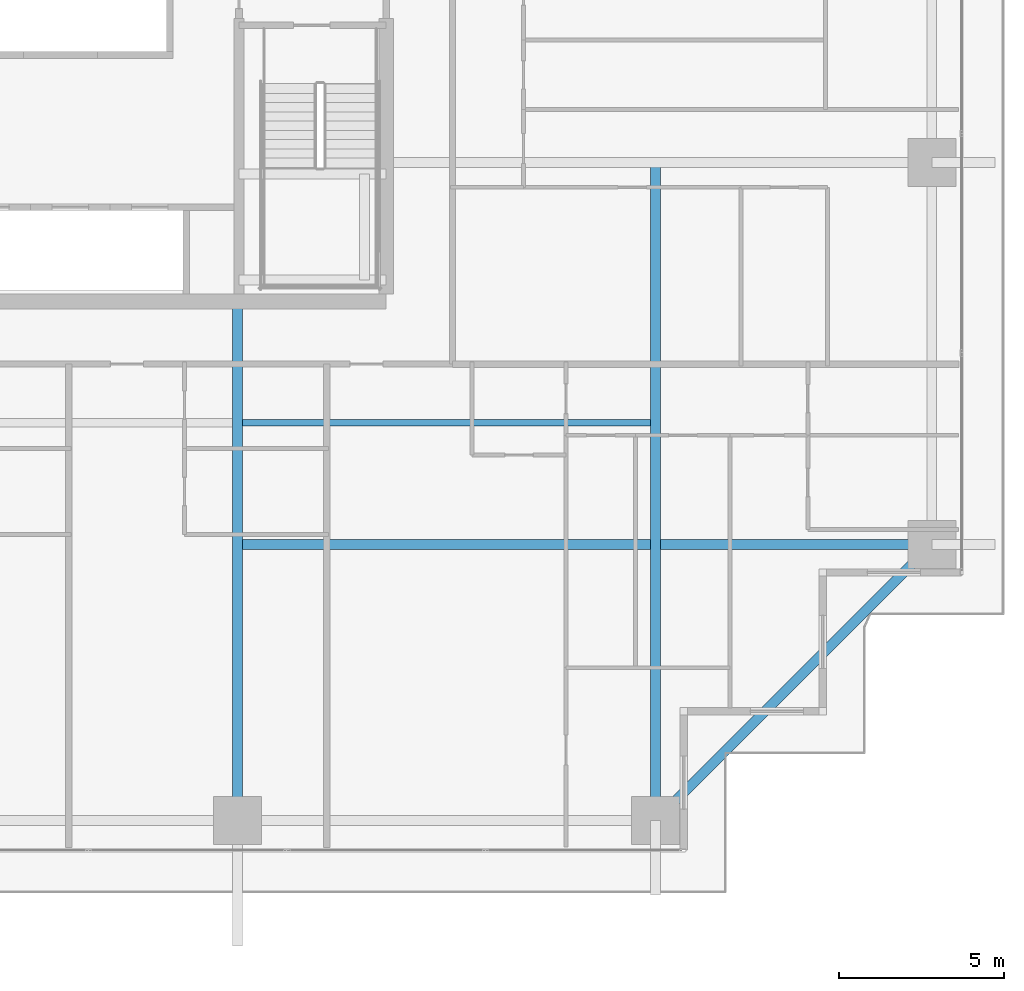
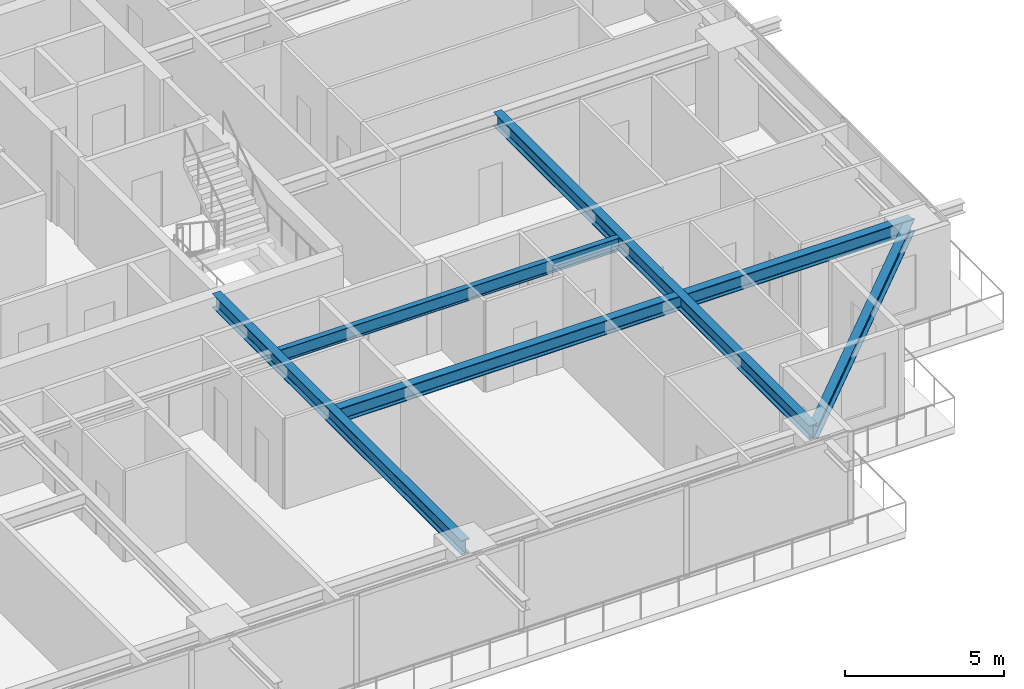
# One storey, part 11 of 35: 5 beams.
"""IFC4 building model written with IfcOpenShell, lengths in metres."""

from ifc_helpers import new_model, si_unit, direction, frame, origin, origin_2d, place, context, subcontext, project, spatial, i_section, extrude, source, transform, mapped, material, material_profile, profile_set, type_object, element, save


model = new_model("IFC4")

# Units and contexts
model_context = context("Model", 3, precision=1e-05, world=origin(), true_north=direction((0.0, 1.0)))
body_context = subcontext(model_context, "Body", "Model", "MODEL_VIEW")
ifc_project = project(units=[si_unit("LENGTHUNIT", "METRE"), si_unit("AREAUNIT", "SQUARE_METRE"), si_unit("VOLUMEUNIT", "CUBIC_METRE"), si_unit("PLANEANGLEUNIT", "RADIAN"), si_unit("MASSUNIT", "GRAM", prefix="KILO")], contexts=[model_context])

# Site, building, storey
site_placement = place(None, origin())
site = spatial("IfcSite", under=ifc_project, at=site_placement, CompositionType="ELEMENT")
building_placement = place(site_placement, origin())
building = spatial("IfcBuilding", under=site, at=building_placement, Name="Serunith Strait Residences", CompositionType="ELEMENT")
storey_placement = place(building_placement, frame((0.0, 0.0, 56.699951171875)))
storey = spatial("IfcBuildingStorey", under=building, at=storey_placement, Name="L13", CompositionType="ELEMENT", Elevation=56.699951171875)

# Beams
ifc_material = material(Name="Steel S355J2", Category="steel")
ifc_material_profile_1 = material_profile(ifc_material, i_section(OverallWidth=0.300048828125, OverallDepth=0.550048828125, WebThickness=0.014892578125, FlangeThickness=0.029052734375, FilletRadius=0.027099609375, at=origin_2d()), Name="HEB 550")
ifc_profile_set_1 = profile_set([ifc_material_profile_1], Name="Steel S355J2")
beam_type_1 = type_object("IfcBeamType", Name="BM-HEB550", PredefinedType="BEAM", material=ifc_profile_set_1)
shared_shape_1 = source(origin(), body_context, "Body", "SweptSolid", [
    extrude(i_section(OverallWidth=0.300048828125, OverallDepth=0.550048828125, WebThickness=0.014892578125, FlangeThickness=0.029052734375, FilletRadius=0.027099609375, at=origin_2d()), origin(), (0.0, 0.0, 1.0), 15.699951171875),
])
beam_1_placement = place(storey_placement, frame((36.89990234375, 16.800048828125, 3.212158203125), z_axis=(0.0, -1.0, 0.0), x_axis=(1.0, 0.0, 0.0)))
element("IfcBeam", 1, at=beam_1_placement, inside=storey, type_object=beam_type_1, Name="L13 Primary Floor Girder TC-S3", PredefinedType="BEAM", context=body_context, shape_type="MappedRepresentation", body=[
    mapped(shared_shape_1, transform((0.0, 0.0, 0.0), scale=1.0)),
])
shared_shape_2 = source(origin(), body_context, "Body", "SweptSolid", [
    extrude(i_section(OverallWidth=0.300048828125, OverallDepth=0.550048828125, WebThickness=0.014892578125, FlangeThickness=0.029052734375, FilletRadius=0.027099609375, at=origin_2d()), origin(), (0.0, 0.0, 1.0), 19.89990234375),
])
beam_2_placement = place(storey_placement, frame((49.550048828125, 21.0, 3.212158203125), z_axis=(0.0, -1.0, 0.0), x_axis=(1.0, 0.0, 0.0)))
element("IfcBeam", 2, at=beam_2_placement, inside=storey, type_object=beam_type_1, Name="L13 Orthogonal Corner Girder TC-S4", PredefinedType="BEAM", context=body_context, shape_type="MappedRepresentation", body=[
    mapped(shared_shape_2, transform((0.0, 0.0, 0.0), scale=1.0)),
])
shared_shape_3 = source(origin(), body_context, "Body", "SweptSolid", [
    extrude(i_section(OverallWidth=0.300048828125, OverallDepth=0.550048828125, WebThickness=0.014892578125, FlangeThickness=0.029052734375, FilletRadius=0.027099609375, at=origin_2d()), origin(), (0.0, 0.0, 1.0), 21.0),
])
beam_3_placement = place(storey_placement, frame((36.89990234375, 9.449951171875, 3.212158203125), z_axis=(1.0, 0.0, 0.0), x_axis=(0.0, 1.0, 0.0)))
element("IfcBeam", 3, at=beam_3_placement, inside=storey, type_object=beam_type_1, Name="L13 Orthogonal Corner Girder TC-E1", PredefinedType="BEAM", context=body_context, shape_type="MappedRepresentation", body=[
    mapped(shared_shape_3, transform((0.0, 0.0, 0.0), scale=1.0)),
])
ifc_material_profile_2 = material_profile(ifc_material, i_section(OverallWidth=0.300048828125, OverallDepth=0.5, WebThickness=0.014404296875, FlangeThickness=0.028076171875, FilletRadius=0.027099609375, at=origin_2d()), Name="HEB 500")
ifc_profile_set_2 = profile_set([ifc_material_profile_2], Name="Steel S355J2")
beam_type_2 = type_object("IfcBeamType", Name="BM-HEB500", PredefinedType="BEAM", material=ifc_profile_set_2)
shared_shape_4 = source(origin(), body_context, "Body", "SweptSolid", [
    extrude(i_section(OverallWidth=0.300048828125, OverallDepth=0.5, WebThickness=0.014404296875, FlangeThickness=0.028076171875, FilletRadius=0.027099609375, at=origin_2d()), origin(), (0.0, 0.0, 1.0), 11.80859375),
])
beam_4_placement = place(storey_placement, frame((49.550048828125, 1.10009765625, 3.20703125), z_axis=(0.707106781187, 0.707106781187, 0.0), x_axis=(-0.707106781187, 0.707106781187, 0.0)))
element("IfcBeam", 4, at=beam_4_placement, inside=storey, type_object=beam_type_2, Name="L13 Perimeter Ring Beam 04", PredefinedType="BEAM", context=body_context, shape_type="MappedRepresentation", body=[
    mapped(shared_shape_4, transform((0.0, 0.0, 0.0), scale=1.0)),
])
ifc_material_profile_3 = material_profile(ifc_material, i_section(OverallWidth=0.199951171875, OverallDepth=0.5, WebThickness=0.01025390625, FlangeThickness=0.01611328125, FilletRadius=0.02099609375, at=origin_2d()), Name="IPE 500")
ifc_profile_set_3 = profile_set([ifc_material_profile_3], Name="Steel S355J2")
beam_type_3 = type_object("IfcBeamType", Name="BM-IPE500", PredefinedType="JOIST", material=ifc_profile_set_3)
shared_shape_5 = source(origin(), body_context, "Body", "SweptSolid", [
    extrude(i_section(OverallWidth=0.199951171875, OverallDepth=0.5, WebThickness=0.01025390625, FlangeThickness=0.01611328125, FilletRadius=0.02099609375, at=origin_2d()), origin(), (0.0, 0.0, 1.0), 12.349853515625),
])
beam_5_placement = place(storey_placement, frame((37.050048828125, 13.125, 3.237060546875), z_axis=(1.0, 0.0, 0.0), x_axis=(0.0, 1.0, 0.0)))
element("IfcBeam", 5, at=beam_5_placement, inside=storey, type_object=beam_type_3, Name="L13 Composite Floor Joist 03", PredefinedType="JOIST", context=body_context, shape_type="MappedRepresentation", body=[
    mapped(shared_shape_5, transform((0.0, 0.0, 0.0), scale=1.0)),
])

save(model, "model.ifc")
